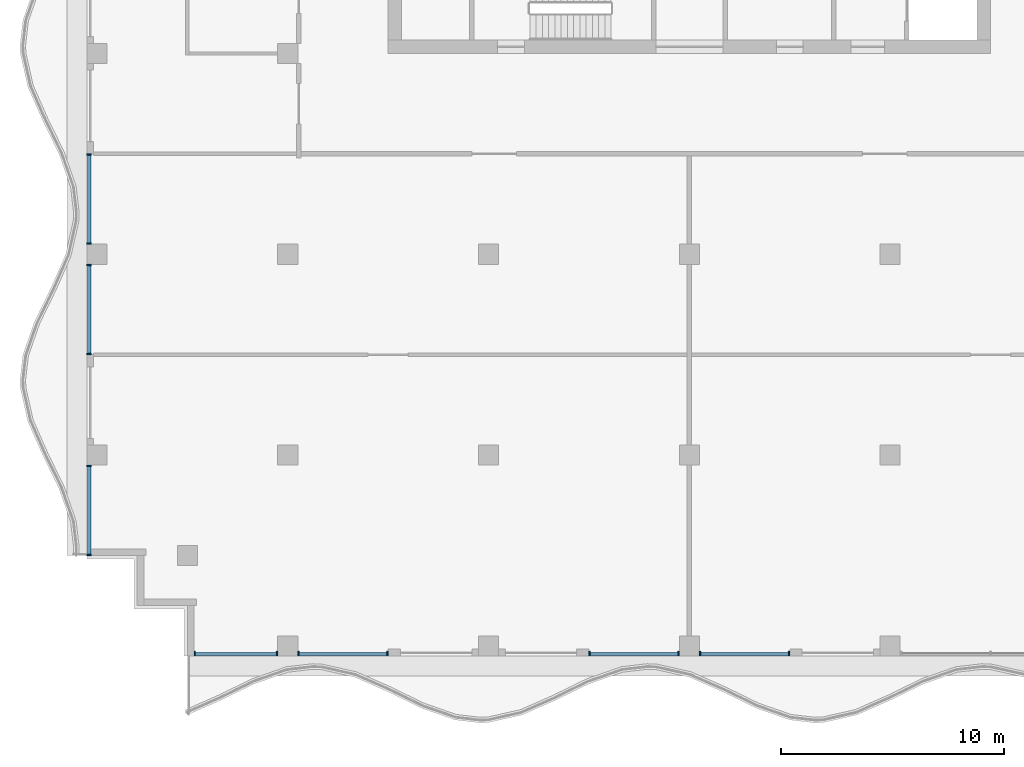
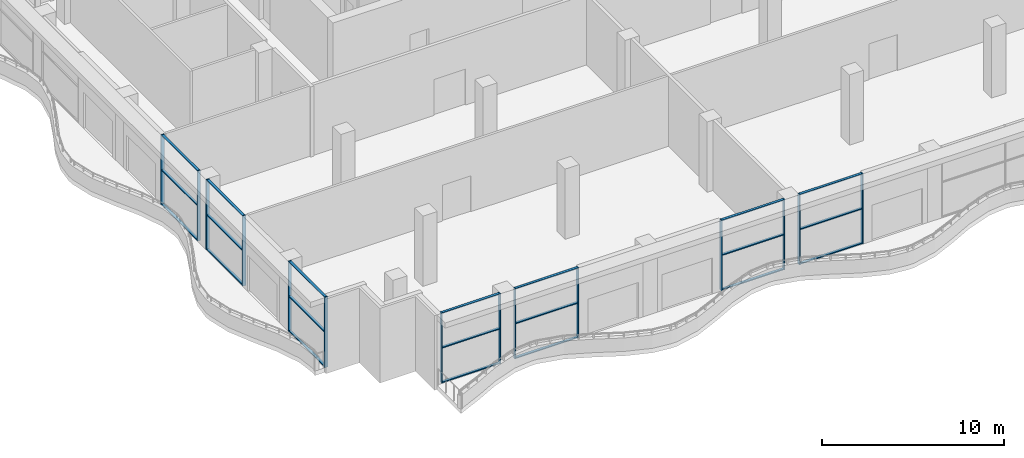
# One storey, part 2 of 14: 35 members, 7 elements without a shape of their own.
"""IFC4 building model written with IfcOpenShell, lengths in metres."""

from ifc_helpers import new_model, si_unit, direction, frame, origin, origin_2d, place, context, subcontext, project, spatial, rectangle, extrude, material, material_profile, profile_set, type_object, element, aggregate, save


model = new_model("IFC4")

# Units and contexts
model_context = context("Model", 3, precision=1e-05, world=origin(), true_north=direction((0.0, 1.0)))
body_context = subcontext(model_context, "Body", "Model", "MODEL_VIEW")
ifc_project = project(units=[si_unit("LENGTHUNIT", "METRE"), si_unit("AREAUNIT", "SQUARE_METRE"), si_unit("VOLUMEUNIT", "CUBIC_METRE"), si_unit("PLANEANGLEUNIT", "RADIAN"), si_unit("MASSUNIT", "GRAM", prefix="KILO")], contexts=[model_context])

# Site, building, storey
site_placement = place(None, origin())
site = spatial("IfcSite", under=ifc_project, at=site_placement, CompositionType="ELEMENT")
building_placement = place(site_placement, origin())
building = spatial("IfcBuilding", under=site, at=building_placement, Name="Orbiselva Terraces", CompositionType="ELEMENT")
storey_placement = place(building_placement, frame((0.0, 0.0, 284.4)))
storey = spatial("IfcBuildingStorey", under=building, at=storey_placement, Name="L72", CompositionType="ELEMENT", Elevation=284.4)

# Curtain wall, members
ifc_material_1 = material(Name="Clear low-e glazing in aluminium frame", Category="aluminium")
curtain_wall_type = type_object("IfcCurtainWallType", Name="ENV-CW-SKY", PredefinedType="NOTDEFINED", material=ifc_material_1)
curtain_wall_1_placement = place(storey_placement, origin())
curtain_wall_1 = element("IfcCurtainWall", 1, at=curtain_wall_1_placement, inside=storey, type_object=curtain_wall_type, Name="Curtain wall L72 S", PredefinedType="NOTDEFINED")
ifc_material_2 = material(Name="Anodised aluminium", Category="aluminium")
ifc_material_profile_1 = material_profile(ifc_material_2, rectangle(XDim=0.2, YDim=0.065, at=origin_2d()), Name="AL 65x200")
ifc_profile_set_1 = profile_set([ifc_material_profile_1], Name="Anodised aluminium")
member_type_1 = type_object("IfcMemberType", Name="ENV-CW-SKY-MULLION-65x200", PredefinedType="MULLION", material=ifc_profile_set_1)
member_1_placement = place(storey_placement, frame((-22.1675, -22.4, 0.0), z_axis=(0.0, 0.0, 1.0), x_axis=(0.0, 1.0, 0.0)))
member_1 = element("IfcMember", 2, at=member_1_placement, type_object=member_type_1, Name="CW3 mullion 1", PredefinedType="MULLION", context=body_context, shape_type="SweptSolid", body=[
    extrude(rectangle(XDim=0.2, YDim=0.065, at=origin_2d()), origin(), (0.0, 0.0, 1.0), 4.7),
])
member_2_placement = place(storey_placement, frame((-18.4825, -22.4, 0.0), z_axis=(0.0, 0.0, 1.0), x_axis=(0.0, 1.0, 0.0)))
member_2 = element("IfcMember", 3, at=member_2_placement, type_object=member_type_1, Name="CW3 mullion 2", PredefinedType="MULLION", context=body_context, shape_type="SweptSolid", body=[
    extrude(rectangle(XDim=0.2, YDim=0.065, at=origin_2d()), origin(), (0.0, 0.0, 1.0), 4.7),
])

curtain_wall_2_placement = place(storey_placement, origin())
curtain_wall_2 = element("IfcCurtainWall", 4, at=curtain_wall_2_placement, inside=storey, type_object=curtain_wall_type, Name="Curtain wall L72 S", PredefinedType="NOTDEFINED")
member_3_placement = place(storey_placement, frame((-17.5175, -22.4, 0.0), z_axis=(0.0, 0.0, 1.0), x_axis=(0.0, 1.0, 0.0)))
member_3 = element("IfcMember", 5, at=member_3_placement, type_object=member_type_1, Name="CW3 mullion 1", PredefinedType="MULLION", context=body_context, shape_type="SweptSolid", body=[
    extrude(rectangle(XDim=0.2, YDim=0.065, at=origin_2d()), origin(), (0.0, 0.0, 1.0), 4.7),
])
member_4_placement = place(storey_placement, frame((-13.5325, -22.4, 0.0), z_axis=(0.0, 0.0, 1.0), x_axis=(0.0, 1.0, 0.0)))
member_4 = element("IfcMember", 6, at=member_4_placement, type_object=member_type_1, Name="CW3 mullion 2", PredefinedType="MULLION", context=body_context, shape_type="SweptSolid", body=[
    extrude(rectangle(XDim=0.2, YDim=0.065, at=origin_2d()), origin(), (0.0, 0.0, 1.0), 4.7),
])

curtain_wall_3_placement = place(storey_placement, origin())
curtain_wall_3 = element("IfcCurtainWall", 7, at=curtain_wall_3_placement, inside=storey, type_object=curtain_wall_type, Name="Curtain wall L72 S", PredefinedType="NOTDEFINED")
member_5_placement = place(storey_placement, frame((-4.4675, -22.4, 0.0), z_axis=(0.0, 0.0, 1.0), x_axis=(0.0, 1.0, 0.0)))
member_5 = element("IfcMember", 8, at=member_5_placement, type_object=member_type_1, Name="CW3 mullion 1", PredefinedType="MULLION", context=body_context, shape_type="SweptSolid", body=[
    extrude(rectangle(XDim=0.2, YDim=0.065, at=origin_2d()), origin(), (0.0, 0.0, 1.0), 4.7),
])
member_6_placement = place(storey_placement, frame((-0.4825, -22.4, 0.0), z_axis=(0.0, 0.0, 1.0), x_axis=(0.0, 1.0, 0.0)))
member_6 = element("IfcMember", 9, at=member_6_placement, type_object=member_type_1, Name="CW3 mullion 2", PredefinedType="MULLION", context=body_context, shape_type="SweptSolid", body=[
    extrude(rectangle(XDim=0.2, YDim=0.065, at=origin_2d()), origin(), (0.0, 0.0, 1.0), 4.7),
])

curtain_wall_4_placement = place(storey_placement, origin())
curtain_wall_4 = element("IfcCurtainWall", 10, at=curtain_wall_4_placement, inside=storey, type_object=curtain_wall_type, Name="Curtain wall L72 S", PredefinedType="NOTDEFINED")
member_7_placement = place(storey_placement, frame((0.4825, -22.4, 0.0), z_axis=(0.0, 0.0, 1.0), x_axis=(0.0, 1.0, 0.0)))
member_7 = element("IfcMember", 11, at=member_7_placement, type_object=member_type_1, Name="CW3 mullion 1", PredefinedType="MULLION", context=body_context, shape_type="SweptSolid", body=[
    extrude(rectangle(XDim=0.2, YDim=0.065, at=origin_2d()), origin(), (0.0, 0.0, 1.0), 4.7),
])
member_8_placement = place(storey_placement, frame((4.4675, -22.4, 0.0), z_axis=(0.0, 0.0, 1.0), x_axis=(0.0, 1.0, 0.0)))
member_8 = element("IfcMember", 12, at=member_8_placement, type_object=member_type_1, Name="CW3 mullion 2", PredefinedType="MULLION", context=body_context, shape_type="SweptSolid", body=[
    extrude(rectangle(XDim=0.2, YDim=0.065, at=origin_2d()), origin(), (0.0, 0.0, 1.0), 4.7),
])

curtain_wall_5_placement = place(storey_placement, origin())
curtain_wall_5 = element("IfcCurtainWall", 13, at=curtain_wall_5_placement, inside=storey, type_object=curtain_wall_type, Name="Curtain wall L72 W", PredefinedType="NOTDEFINED")
member_9_placement = place(storey_placement, frame((-26.9, -0.0325, 0.0), z_axis=(0.0, 0.0, 1.0), x_axis=(1.0, 0.0, 0.0)))
member_9 = element("IfcMember", 14, at=member_9_placement, type_object=member_type_1, Name="CW3 mullion 1", PredefinedType="MULLION", context=body_context, shape_type="SweptSolid", body=[
    extrude(rectangle(XDim=0.2, YDim=0.065, at=origin_2d()), origin(), (0.0, 0.0, 1.0), 4.7),
])
member_10_placement = place(storey_placement, frame((-26.9, -4.0175, 0.0), z_axis=(0.0, 0.0, 1.0), x_axis=(1.0, 0.0, 0.0)))
member_10 = element("IfcMember", 15, at=member_10_placement, type_object=member_type_1, Name="CW3 mullion 2", PredefinedType="MULLION", context=body_context, shape_type="SweptSolid", body=[
    extrude(rectangle(XDim=0.2, YDim=0.065, at=origin_2d()), origin(), (0.0, 0.0, 1.0), 4.7),
])

curtain_wall_6_placement = place(storey_placement, origin())
curtain_wall_6 = element("IfcCurtainWall", 16, at=curtain_wall_6_placement, inside=storey, type_object=curtain_wall_type, Name="Curtain wall L72 W", PredefinedType="NOTDEFINED")
member_11_placement = place(storey_placement, frame((-26.9, -4.9825, 0.0), z_axis=(0.0, 0.0, 1.0), x_axis=(1.0, 0.0, 0.0)))
member_11 = element("IfcMember", 17, at=member_11_placement, type_object=member_type_1, Name="CW3 mullion 1", PredefinedType="MULLION", context=body_context, shape_type="SweptSolid", body=[
    extrude(rectangle(XDim=0.2, YDim=0.065, at=origin_2d()), origin(), (0.0, 0.0, 1.0), 4.7),
])
member_12_placement = place(storey_placement, frame((-26.9, -8.9675, 0.0), z_axis=(0.0, 0.0, 1.0), x_axis=(1.0, 0.0, 0.0)))
member_12 = element("IfcMember", 18, at=member_12_placement, type_object=member_type_1, Name="CW3 mullion 2", PredefinedType="MULLION", context=body_context, shape_type="SweptSolid", body=[
    extrude(rectangle(XDim=0.2, YDim=0.065, at=origin_2d()), origin(), (0.0, 0.0, 1.0), 4.7),
])

curtain_wall_7_placement = place(storey_placement, origin())
curtain_wall_7 = element("IfcCurtainWall", 19, at=curtain_wall_7_placement, inside=storey, type_object=curtain_wall_type, Name="Curtain wall L72 W", PredefinedType="NOTDEFINED")
member_13_placement = place(storey_placement, frame((-26.9, -13.9825, 0.0), z_axis=(0.0, 0.0, 1.0), x_axis=(1.0, 0.0, 0.0)))
member_13 = element("IfcMember", 20, at=member_13_placement, type_object=member_type_1, Name="CW3 mullion 1", PredefinedType="MULLION", context=body_context, shape_type="SweptSolid", body=[
    extrude(rectangle(XDim=0.2, YDim=0.065, at=origin_2d()), origin(), (0.0, 0.0, 1.0), 4.7),
])
member_14_placement = place(storey_placement, frame((-26.9, -17.9675, 0.0), z_axis=(0.0, 0.0, 1.0), x_axis=(1.0, 0.0, 0.0)))
member_14 = element("IfcMember", 21, at=member_14_placement, type_object=member_type_1, Name="CW3 mullion 2", PredefinedType="MULLION", context=body_context, shape_type="SweptSolid", body=[
    extrude(rectangle(XDim=0.2, YDim=0.065, at=origin_2d()), origin(), (0.0, 0.0, 1.0), 4.7),
])

# Member
ifc_material_profile_2 = material_profile(ifc_material_2, rectangle(XDim=0.16, YDim=0.065, at=origin_2d()), Name="AL 65x160")
ifc_profile_set_2 = profile_set([ifc_material_profile_2], Name="Anodised aluminium")
member_type_2 = type_object("IfcMemberType", Name="ENV-CW-SKY-TRANSOM-65x160", PredefinedType="USERDEFINED", material=ifc_profile_set_2)
member_15_placement = place(storey_placement, frame((-22.135, -22.4, 0.0325), z_axis=(1.0, 0.0, 0.0), x_axis=(0.0, 1.0, 0.0)))
member_15 = element("IfcMember", 22, at=member_15_placement, type_object=member_type_2, Name="CW3 transom 1.1", ObjectType="TRANSOM", PredefinedType="USERDEFINED", context=body_context, shape_type="SweptSolid", body=[
    extrude(rectangle(XDim=0.16, YDim=0.065, at=origin_2d()), origin(), (0.0, 0.0, 1.0), 3.62),
])

member_16_placement = place(storey_placement, frame((-22.135, -22.4, 2.35), z_axis=(1.0, 0.0, 0.0), x_axis=(0.0, 1.0, 0.0)))
member_16 = element("IfcMember", 23, at=member_16_placement, type_object=member_type_2, Name="CW3 transom 1.2", ObjectType="TRANSOM", PredefinedType="USERDEFINED", context=body_context, shape_type="SweptSolid", body=[
    extrude(rectangle(XDim=0.16, YDim=0.065, at=origin_2d()), origin(), (0.0, 0.0, 1.0), 3.62),
])

member_17_placement = place(storey_placement, frame((-22.135, -22.4, 4.6675), z_axis=(1.0, 0.0, 0.0), x_axis=(0.0, 1.0, 0.0)))
member_17 = element("IfcMember", 24, at=member_17_placement, type_object=member_type_2, Name="CW3 transom 1.3", ObjectType="TRANSOM", PredefinedType="USERDEFINED", context=body_context, shape_type="SweptSolid", body=[
    extrude(rectangle(XDim=0.16, YDim=0.065, at=origin_2d()), origin(), (0.0, 0.0, 1.0), 3.62),
])

aggregate(curtain_wall_1, [member_1, member_2, member_15, member_16, member_17])

member_18_placement = place(storey_placement, frame((-17.485, -22.4, 0.0325), z_axis=(1.0, 0.0, 0.0), x_axis=(0.0, 1.0, 0.0)))
member_18 = element("IfcMember", 25, at=member_18_placement, type_object=member_type_2, Name="CW3 transom 1.1", ObjectType="TRANSOM", PredefinedType="USERDEFINED", context=body_context, shape_type="SweptSolid", body=[
    extrude(rectangle(XDim=0.16, YDim=0.065, at=origin_2d()), origin(), (0.0, 0.0, 1.0), 3.92),
])

member_19_placement = place(storey_placement, frame((-17.485, -22.4, 2.35), z_axis=(1.0, 0.0, 0.0), x_axis=(0.0, 1.0, 0.0)))
member_19 = element("IfcMember", 26, at=member_19_placement, type_object=member_type_2, Name="CW3 transom 1.2", ObjectType="TRANSOM", PredefinedType="USERDEFINED", context=body_context, shape_type="SweptSolid", body=[
    extrude(rectangle(XDim=0.16, YDim=0.065, at=origin_2d()), origin(), (0.0, 0.0, 1.0), 3.92),
])

member_20_placement = place(storey_placement, frame((-17.485, -22.4, 4.6675), z_axis=(1.0, 0.0, 0.0), x_axis=(0.0, 1.0, 0.0)))
member_20 = element("IfcMember", 27, at=member_20_placement, type_object=member_type_2, Name="CW3 transom 1.3", ObjectType="TRANSOM", PredefinedType="USERDEFINED", context=body_context, shape_type="SweptSolid", body=[
    extrude(rectangle(XDim=0.16, YDim=0.065, at=origin_2d()), origin(), (0.0, 0.0, 1.0), 3.92),
])

aggregate(curtain_wall_2, [member_3, member_4, member_18, member_19, member_20])

member_21_placement = place(storey_placement, frame((-4.435, -22.4, 0.0325), z_axis=(1.0, 0.0, 0.0), x_axis=(0.0, 1.0, 0.0)))
member_21 = element("IfcMember", 28, at=member_21_placement, type_object=member_type_2, Name="CW3 transom 1.1", ObjectType="TRANSOM", PredefinedType="USERDEFINED", context=body_context, shape_type="SweptSolid", body=[
    extrude(rectangle(XDim=0.16, YDim=0.065, at=origin_2d()), origin(), (0.0, 0.0, 1.0), 3.92),
])

member_22_placement = place(storey_placement, frame((-4.435, -22.4, 2.35), z_axis=(1.0, 0.0, 0.0), x_axis=(0.0, 1.0, 0.0)))
member_22 = element("IfcMember", 29, at=member_22_placement, type_object=member_type_2, Name="CW3 transom 1.2", ObjectType="TRANSOM", PredefinedType="USERDEFINED", context=body_context, shape_type="SweptSolid", body=[
    extrude(rectangle(XDim=0.16, YDim=0.065, at=origin_2d()), origin(), (0.0, 0.0, 1.0), 3.92),
])

member_23_placement = place(storey_placement, frame((-4.435, -22.4, 4.6675), z_axis=(1.0, 0.0, 0.0), x_axis=(0.0, 1.0, 0.0)))
member_23 = element("IfcMember", 30, at=member_23_placement, type_object=member_type_2, Name="CW3 transom 1.3", ObjectType="TRANSOM", PredefinedType="USERDEFINED", context=body_context, shape_type="SweptSolid", body=[
    extrude(rectangle(XDim=0.16, YDim=0.065, at=origin_2d()), origin(), (0.0, 0.0, 1.0), 3.92),
])

aggregate(curtain_wall_3, [member_5, member_6, member_21, member_22, member_23])

member_24_placement = place(storey_placement, frame((0.515, -22.4, 0.0325), z_axis=(1.0, 0.0, 0.0), x_axis=(0.0, 1.0, 0.0)))
member_24 = element("IfcMember", 31, at=member_24_placement, type_object=member_type_2, Name="CW3 transom 1.1", ObjectType="TRANSOM", PredefinedType="USERDEFINED", context=body_context, shape_type="SweptSolid", body=[
    extrude(rectangle(XDim=0.16, YDim=0.065, at=origin_2d()), origin(), (0.0, 0.0, 1.0), 3.92),
])

member_25_placement = place(storey_placement, frame((0.515, -22.4, 2.35), z_axis=(1.0, 0.0, 0.0), x_axis=(0.0, 1.0, 0.0)))
member_25 = element("IfcMember", 32, at=member_25_placement, type_object=member_type_2, Name="CW3 transom 1.2", ObjectType="TRANSOM", PredefinedType="USERDEFINED", context=body_context, shape_type="SweptSolid", body=[
    extrude(rectangle(XDim=0.16, YDim=0.065, at=origin_2d()), origin(), (0.0, 0.0, 1.0), 3.92),
])

member_26_placement = place(storey_placement, frame((0.515, -22.4, 4.6675), z_axis=(1.0, 0.0, 0.0), x_axis=(0.0, 1.0, 0.0)))
member_26 = element("IfcMember", 33, at=member_26_placement, type_object=member_type_2, Name="CW3 transom 1.3", ObjectType="TRANSOM", PredefinedType="USERDEFINED", context=body_context, shape_type="SweptSolid", body=[
    extrude(rectangle(XDim=0.16, YDim=0.065, at=origin_2d()), origin(), (0.0, 0.0, 1.0), 3.92),
])

aggregate(curtain_wall_4, [member_7, member_8, member_24, member_25, member_26])

member_27_placement = place(storey_placement, frame((-26.9, -0.065, 0.0325), z_axis=(0.0, -1.0, 0.0), x_axis=(1.0, 0.0, 0.0)))
member_27 = element("IfcMember", 34, at=member_27_placement, type_object=member_type_2, Name="CW3 transom 1.1", ObjectType="TRANSOM", PredefinedType="USERDEFINED", context=body_context, shape_type="SweptSolid", body=[
    extrude(rectangle(XDim=0.16, YDim=0.065, at=origin_2d()), origin(), (0.0, 0.0, 1.0), 3.92),
])

member_28_placement = place(storey_placement, frame((-26.9, -0.065, 2.35), z_axis=(0.0, -1.0, 0.0), x_axis=(1.0, 0.0, 0.0)))
member_28 = element("IfcMember", 35, at=member_28_placement, type_object=member_type_2, Name="CW3 transom 1.2", ObjectType="TRANSOM", PredefinedType="USERDEFINED", context=body_context, shape_type="SweptSolid", body=[
    extrude(rectangle(XDim=0.16, YDim=0.065, at=origin_2d()), origin(), (0.0, 0.0, 1.0), 3.92),
])

member_29_placement = place(storey_placement, frame((-26.9, -0.065, 4.6675), z_axis=(0.0, -1.0, 0.0), x_axis=(1.0, 0.0, 0.0)))
member_29 = element("IfcMember", 36, at=member_29_placement, type_object=member_type_2, Name="CW3 transom 1.3", ObjectType="TRANSOM", PredefinedType="USERDEFINED", context=body_context, shape_type="SweptSolid", body=[
    extrude(rectangle(XDim=0.16, YDim=0.065, at=origin_2d()), origin(), (0.0, 0.0, 1.0), 3.92),
])

aggregate(curtain_wall_5, [member_9, member_10, member_27, member_28, member_29])

member_30_placement = place(storey_placement, frame((-26.9, -5.015, 0.0325), z_axis=(0.0, -1.0, 0.0), x_axis=(1.0, 0.0, 0.0)))
member_30 = element("IfcMember", 37, at=member_30_placement, type_object=member_type_2, Name="CW3 transom 1.1", ObjectType="TRANSOM", PredefinedType="USERDEFINED", context=body_context, shape_type="SweptSolid", body=[
    extrude(rectangle(XDim=0.16, YDim=0.065, at=origin_2d()), origin(), (0.0, 0.0, 1.0), 3.92),
])

member_31_placement = place(storey_placement, frame((-26.9, -5.015, 2.35), z_axis=(0.0, -1.0, 0.0), x_axis=(1.0, 0.0, 0.0)))
member_31 = element("IfcMember", 38, at=member_31_placement, type_object=member_type_2, Name="CW3 transom 1.2", ObjectType="TRANSOM", PredefinedType="USERDEFINED", context=body_context, shape_type="SweptSolid", body=[
    extrude(rectangle(XDim=0.16, YDim=0.065, at=origin_2d()), origin(), (0.0, 0.0, 1.0), 3.92),
])

member_32_placement = place(storey_placement, frame((-26.9, -5.015, 4.6675), z_axis=(0.0, -1.0, 0.0), x_axis=(1.0, 0.0, 0.0)))
member_32 = element("IfcMember", 39, at=member_32_placement, type_object=member_type_2, Name="CW3 transom 1.3", ObjectType="TRANSOM", PredefinedType="USERDEFINED", context=body_context, shape_type="SweptSolid", body=[
    extrude(rectangle(XDim=0.16, YDim=0.065, at=origin_2d()), origin(), (0.0, 0.0, 1.0), 3.92),
])

aggregate(curtain_wall_6, [member_11, member_12, member_30, member_31, member_32])

member_33_placement = place(storey_placement, frame((-26.9, -14.015, 0.0325), z_axis=(0.0, -1.0, 0.0), x_axis=(1.0, 0.0, 0.0)))
member_33 = element("IfcMember", 40, at=member_33_placement, type_object=member_type_2, Name="CW3 transom 1.1", ObjectType="TRANSOM", PredefinedType="USERDEFINED", context=body_context, shape_type="SweptSolid", body=[
    extrude(rectangle(XDim=0.16, YDim=0.065, at=origin_2d()), origin(), (0.0, 0.0, 1.0), 3.92),
])

member_34_placement = place(storey_placement, frame((-26.9, -14.015, 2.35), z_axis=(0.0, -1.0, 0.0), x_axis=(1.0, 0.0, 0.0)))
member_34 = element("IfcMember", 41, at=member_34_placement, type_object=member_type_2, Name="CW3 transom 1.2", ObjectType="TRANSOM", PredefinedType="USERDEFINED", context=body_context, shape_type="SweptSolid", body=[
    extrude(rectangle(XDim=0.16, YDim=0.065, at=origin_2d()), origin(), (0.0, 0.0, 1.0), 3.92),
])

member_35_placement = place(storey_placement, frame((-26.9, -14.015, 4.6675), z_axis=(0.0, -1.0, 0.0), x_axis=(1.0, 0.0, 0.0)))
member_35 = element("IfcMember", 42, at=member_35_placement, type_object=member_type_2, Name="CW3 transom 1.3", ObjectType="TRANSOM", PredefinedType="USERDEFINED", context=body_context, shape_type="SweptSolid", body=[
    extrude(rectangle(XDim=0.16, YDim=0.065, at=origin_2d()), origin(), (0.0, 0.0, 1.0), 3.92),
])

aggregate(curtain_wall_7, [member_13, member_14, member_33, member_34, member_35])

save(model, "model.ifc")
